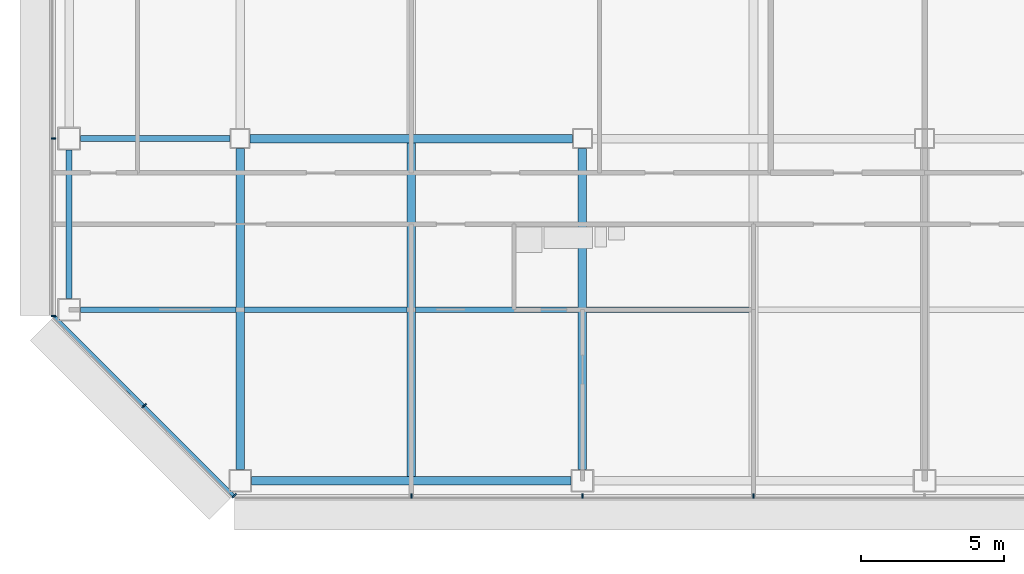
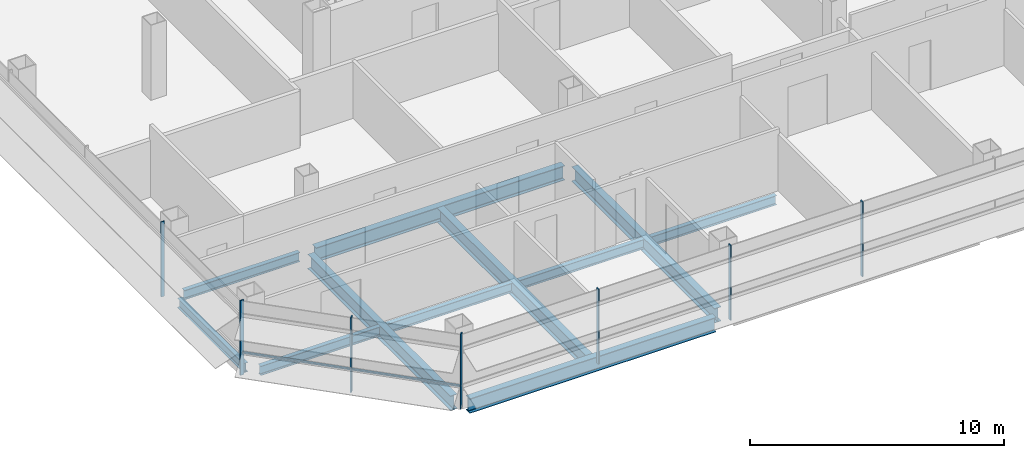
# One storey, part 2 of 25: 11 beams, 8 members, 3 elements without a shape of their own.
"""IFC4 building model written with IfcOpenShell, lengths in metres."""

from ifc_helpers import new_model, si_unit, direction, frame, origin, origin_2d, place, context, subcontext, project, spatial, rectangle, i_section, extrude, material, material_profile, profile_set, type_object, element, aggregate, save


model = new_model("IFC4")

# Units and contexts
model_context = context("Model", 3, precision=1e-05, world=origin(), true_north=direction((0.0, 1.0)))
body_context = subcontext(model_context, "Body", "Model", "MODEL_VIEW")
ifc_project = project(units=[si_unit("LENGTHUNIT", "METRE"), si_unit("AREAUNIT", "SQUARE_METRE"), si_unit("VOLUMEUNIT", "CUBIC_METRE"), si_unit("PLANEANGLEUNIT", "RADIAN"), si_unit("MASSUNIT", "GRAM", prefix="KILO")], contexts=[model_context])

# Site, building, storey
site_placement = place(None, origin())
site = spatial("IfcSite", under=ifc_project, at=site_placement, CompositionType="ELEMENT")
building_placement = place(site_placement, origin())
building = spatial("IfcBuilding", under=site, at=building_placement, Name="Sorahane Residences", CompositionType="ELEMENT")
storey_placement = place(building_placement, frame((0.0, 0.0, 119.60009765625)))
storey = spatial("IfcBuildingStorey", under=building, at=storey_placement, Name="L26", CompositionType="ELEMENT", Elevation=119.60009765625)

# Curtain wall, members
ifc_material_1 = material(Name="Dark low-e glass and black anodised aluminium", Category="aluminium")
curtain_wall_type_1 = type_object("IfcCurtainWallType", Name="Curtain wall CW-1 Typical unitised wall", PredefinedType="NOTDEFINED", material=ifc_material_1)
curtain_wall_1_placement = place(storey_placement, origin())
curtain_wall_1 = element("IfcCurtainWall", 1, at=curtain_wall_1_placement, inside=storey, type_object=curtain_wall_type_1, Name="CW-1 curtain wall L26 S1", PredefinedType="NOTDEFINED")
ifc_material_2 = material(Name="Black anodised aluminium", Category="aluminium")
ifc_material_profile_1 = material_profile(ifc_material_2, rectangle(XDim=0.159912109375, YDim=0.050048828125, at=origin_2d()), Name="Curtain wall mullion CW-1 black anodised aluminium 50x160")
ifc_profile_set_1 = profile_set([ifc_material_profile_1], Name="Black anodised aluminium")
member_type_1 = type_object("IfcMemberType", Name="Curtain wall mullion CW-1 black anodised aluminium 50x160", PredefinedType="MULLION", material=ifc_profile_set_1)
member_1_placement = place(storey_placement, frame((6.0, -0.5400390625, -0.18017578125), z_axis=(0.0, 0.0, 1.0), x_axis=(0.0, -1.0, 0.0)))
member_1 = element("IfcMember", 2, at=member_1_placement, type_object=member_type_1, Name="CW-1 mullion L26 S1.2", PredefinedType="MULLION", context=body_context, shape_type="SweptSolid", body=[
    extrude(rectangle(XDim=0.159912109375, YDim=0.050048828125, at=origin_2d()), origin(), (0.0, 0.0, 1.0), 3.60009765625),
])
member_2_placement = place(storey_placement, frame((12.0, -0.5400390625, -0.18017578125), z_axis=(0.0, 0.0, 1.0), x_axis=(0.0, -1.0, 0.0)))
member_2 = element("IfcMember", 3, at=member_2_placement, type_object=member_type_1, Name="CW-1 mullion L26 S1.3", PredefinedType="MULLION", context=body_context, shape_type="SweptSolid", body=[
    extrude(rectangle(XDim=0.159912109375, YDim=0.050048828125, at=origin_2d()), origin(), (0.0, 0.0, 1.0), 3.60009765625),
])
member_3_placement = place(storey_placement, frame((18.0, -0.5400390625, -0.18017578125), z_axis=(0.0, 0.0, 1.0), x_axis=(0.0, -1.0, 0.0)))
member_3 = element("IfcMember", 4, at=member_3_placement, type_object=member_type_1, Name="CW-1 mullion L26 S1.4", PredefinedType="MULLION", context=body_context, shape_type="SweptSolid", body=[
    extrude(rectangle(XDim=0.159912109375, YDim=0.050048828125, at=origin_2d()), origin(), (0.0, 0.0, 1.0), 3.60009765625),
])
aggregate(curtain_wall_1, [member_1, member_2, member_3])

curtain_wall_2_placement = place(storey_placement, origin())
curtain_wall_2 = element("IfcCurtainWall", 5, at=curtain_wall_2_placement, inside=storey, type_object=curtain_wall_type_1, Name="CW-1 curtain wall L26 W1", PredefinedType="NOTDEFINED")
member_4_placement = place(storey_placement, frame((-6.5400390625, 12.0, -0.18017578125), z_axis=(0.0, 0.0, 1.0), x_axis=(-1.0, 0.0, 0.0)))
member_4 = element("IfcMember", 6, at=member_4_placement, type_object=member_type_1, Name="CW-1 mullion L26 W1.6", PredefinedType="MULLION", context=body_context, shape_type="SweptSolid", body=[
    extrude(rectangle(XDim=0.159912109375, YDim=0.050048828125, at=origin_2d()), origin(), (0.0, 0.0, 1.0), 3.60009765625),
])
member_5_placement = place(storey_placement, frame((-6.5400390625, 5.7763671875, -0.18017578125), z_axis=(0.0, 0.0, 1.0), x_axis=(-1.0, 0.0, 0.0)))
member_5 = element("IfcMember", 7, at=member_5_placement, type_object=member_type_1, Name="CW-1 mullion L26 W1.7", PredefinedType="MULLION", context=body_context, shape_type="SweptSolid", body=[
    extrude(rectangle(XDim=0.159912109375, YDim=0.050048828125, at=origin_2d()), origin(), (0.0, 0.0, 1.0), 3.60009765625),
])
aggregate(curtain_wall_2, [member_4, member_5])

ifc_material_3 = material(Name="Dark low-e glass and black anodised aluminium", Category="aluminium")
curtain_wall_type_2 = type_object("IfcCurtainWallType", Name="Curtain wall CW-2 Chamfer unitised wall", PredefinedType="NOTDEFINED", material=ifc_material_3)
curtain_wall_3_placement = place(storey_placement, origin())
curtain_wall_3 = element("IfcCurtainWall", 8, at=curtain_wall_3_placement, inside=storey, type_object=curtain_wall_type_2, Name="CW-2 curtain wall L26 SW1", PredefinedType="NOTDEFINED")
ifc_material_4 = material(Name="Black anodised aluminium", Category="aluminium")
ifc_material_profile_2 = material_profile(ifc_material_4, rectangle(XDim=0.199951171875, YDim=0.050048828125, at=origin_2d()), Name="Curtain wall mullion CW-2 black anodised aluminium 50x200")
ifc_profile_set_2 = profile_set([ifc_material_profile_2], Name="Black anodised aluminium")
member_type_2 = type_object("IfcMemberType", Name="Curtain wall mullion CW-2 black anodised aluminium 50x200", PredefinedType="MULLION", material=ifc_profile_set_2)
member_6_placement = place(storey_placement, frame((-3.36767578125, 2.63232421875, -0.18017578125), z_axis=(0.0, 0.0, 1.0), x_axis=(-0.707106781187, -0.707106781187, 0.0)))
member_6 = element("IfcMember", 9, at=member_6_placement, type_object=member_type_2, Name="CW-2 mullion L26 SW1.2", PredefinedType="MULLION", context=body_context, shape_type="SweptSolid", body=[
    extrude(rectangle(XDim=0.199951171875, YDim=0.050048828125, at=origin_2d()), origin(), (0.0, 0.0, 1.0), 3.60009765625),
])
member_7_placement = place(storey_placement, frame((-0.209716796875, -0.525634765625, -0.18017578125), z_axis=(0.0, 0.0, 1.0), x_axis=(-0.707106781187, -0.707106781187, 0.0)))
member_7 = element("IfcMember", 10, at=member_7_placement, type_object=member_type_2, Name="CW-2 mullion L26 SW1.3", PredefinedType="MULLION", context=body_context, shape_type="SweptSolid", body=[
    extrude(rectangle(XDim=0.199951171875, YDim=0.050048828125, at=origin_2d()), origin(), (0.0, 0.0, 1.0), 3.60009765625),
])
ifc_material_5 = material(Name="Black anodised aluminium", Category="aluminium")
ifc_material_profile_3 = material_profile(ifc_material_5, rectangle(XDim=0.10009765625, YDim=0.06005859375, at=origin_2d()), Name="Curtain wall transom CW-2 black anodised aluminium 60x100")
ifc_profile_set_3 = profile_set([ifc_material_profile_3], Name="Black anodised aluminium")
member_type_3 = type_object("IfcMemberType", Name="Curtain wall transom CW-2 black anodised aluminium 60x100", PredefinedType="USERDEFINED", material=ifc_profile_set_3)
member_8_placement = place(storey_placement, frame((-6.51513671875, 5.765625, 0.89990234375), z_axis=(0.707106781187, -0.707106781187, 0.0), x_axis=(0.707106781187, 0.707106781187, 0.0)))
member_8 = element("IfcMember", 11, at=member_8_placement, type_object=member_type_3, Name="CW-2 transom L26 SW1", ObjectType="TRANSOM", PredefinedType="USERDEFINED", context=body_context, shape_type="SweptSolid", body=[
    extrude(rectangle(XDim=0.10009765625, YDim=0.06005859375, at=origin_2d()), origin(), (0.0, 0.0, 1.0), 8.88232421875),
])
aggregate(curtain_wall_3, [member_6, member_7, member_8])

# Beams
ifc_material_6 = material(Name="Steel Q355B", Category="steel")
ifc_material_profile_4 = material_profile(ifc_material_6, i_section(OverallWidth=0.199951171875, OverallDepth=0.449951171875, WebThickness=0.009033203125, FlangeThickness=0.013916015625, FilletRadius=0.02001953125, at=origin_2d()), Name="HN 450x200x9x14")
ifc_profile_set_4 = profile_set([ifc_material_profile_4], Name="Steel Q355B")
beam_type_1 = type_object("IfcBeamType", Name="Steel floor beam HN 450x200x9x14 Q355B", PredefinedType="BEAM", material=ifc_profile_set_4)
beam_1_placement = place(storey_placement, frame((-5.60009765625, 12.0, -0.405029296875), z_axis=(1.0, 0.0, 0.0), x_axis=(0.0, 1.0, 0.0)))
element("IfcBeam", 12, at=beam_1_placement, inside=storey, type_object=beam_type_1, Name="Beam L26 005", PredefinedType="BEAM", context=body_context, shape_type="SweptSolid", body=[
    extrude(i_section(OverallWidth=0.199951171875, OverallDepth=0.449951171875, WebThickness=0.009033203125, FlangeThickness=0.013916015625, FilletRadius=0.02001953125, at=origin_2d()), origin(), (0.0, 0.0, 1.0), 5.25),
])
beam_2_placement = place(storey_placement, frame((-6.0, 6.39990234375, -0.405029296875), z_axis=(0.0, 1.0, 0.0), x_axis=(-1.0, 0.0, 0.0)))
element("IfcBeam", 13, at=beam_2_placement, inside=storey, type_object=beam_type_1, Name="Beam L26 020", PredefinedType="BEAM", context=body_context, shape_type="SweptSolid", body=[
    extrude(i_section(OverallWidth=0.199951171875, OverallDepth=0.449951171875, WebThickness=0.009033203125, FlangeThickness=0.013916015625, FilletRadius=0.02001953125, at=origin_2d()), origin(), (0.0, 0.0, 1.0), 5.2001953125),
])
beam_3_placement = place(storey_placement, frame((-5.60009765625, 6.0, -0.405029296875), z_axis=(1.0, 0.0, 0.0), x_axis=(0.0, 1.0, 0.0)))
element("IfcBeam", 14, at=beam_3_placement, inside=storey, type_object=beam_type_1, Name="Beam L26 068", PredefinedType="BEAM", context=body_context, shape_type="SweptSolid", body=[
    extrude(i_section(OverallWidth=0.199951171875, OverallDepth=0.449951171875, WebThickness=0.009033203125, FlangeThickness=0.013916015625, FilletRadius=0.02001953125, at=origin_2d()), origin(), (0.0, 0.0, 1.0), 5.4501953125),
])
for number, where, z_axis, x_axis, name in (
    (15, (0.14990234375, 6.0, -0.405029296875), (1.0, 0.0, 0.0), (0.0, 1.0, 0.0), "Beam L26 069"),
    (16, (6.14990234375, 6.0, -0.405029296875), (1.0, 0.0, 0.0), (0.0, 1.0, 0.0), "Beam L26 070"),
    (17, (12.14990234375, 6.0, -0.405029296875), (1.0, 0.0, 0.0), (0.0, 1.0, 0.0), "Beam L26 071"),
):
    element("IfcBeam", number, at=place(storey_placement, frame(where, z_axis=z_axis, x_axis=x_axis)), inside=storey, type_object=beam_type_1, Name=name, PredefinedType="BEAM", context=body_context, shape_type="SweptSolid", body=[
        extrude(i_section(OverallWidth=0.199951171875, OverallDepth=0.449951171875, WebThickness=0.009033203125, FlangeThickness=0.013916015625, FilletRadius=0.02001953125, at=origin_2d()), origin(), (0.0, 0.0, 1.0), 5.7001953125),
    ])
ifc_material_7 = material(Name="Steel Q355B", Category="steel")
ifc_material_profile_5 = material_profile(ifc_material_7, i_section(OverallWidth=0.300048828125, OverallDepth=0.699951171875, WebThickness=0.012939453125, FlangeThickness=0.02392578125, FilletRadius=0.028076171875, at=origin_2d()), Name="HN 700x300x13x24")
ifc_profile_set_5 = profile_set([ifc_material_profile_5], Name="Steel Q355B")
beam_type_2 = type_object("IfcBeamType", Name="Steel floor beam HN 700x300x13x24 Q355B", PredefinedType="BEAM", material=ifc_profile_set_5)
beam_4_placement = place(storey_placement, frame((0.39990234375, 0.0, -0.530029296875), z_axis=(1.0, 0.0, 0.0), x_axis=(0.0, 1.0, 0.0)))
element("IfcBeam", 18, at=beam_4_placement, inside=storey, type_object=beam_type_2, Name="Beam L26 000", PredefinedType="BEAM", context=body_context, shape_type="SweptSolid", body=[
    extrude(i_section(OverallWidth=0.300048828125, OverallDepth=0.699951171875, WebThickness=0.012939453125, FlangeThickness=0.02392578125, FilletRadius=0.028076171875, at=origin_2d()), origin(), (0.0, 0.0, 1.0), 11.2001953125),
])
beam_5_placement = place(storey_placement, frame((0.35009765625, 12.0, -0.530029296875), z_axis=(1.0, 0.0, 0.0), x_axis=(0.0, 1.0, 0.0)))
element("IfcBeam", 19, at=beam_5_placement, inside=storey, type_object=beam_type_2, Name="Beam L26 006", PredefinedType="BEAM", context=body_context, shape_type="SweptSolid", body=[
    extrude(i_section(OverallWidth=0.300048828125, OverallDepth=0.699951171875, WebThickness=0.012939453125, FlangeThickness=0.02392578125, FilletRadius=0.028076171875, at=origin_2d()), origin(), (0.0, 0.0, 1.0), 11.2998046875),
])
beam_6_placement = place(storey_placement, frame((0.0, 0.39990234375, -0.530029296875), z_axis=(0.0, 1.0, 0.0), x_axis=(-1.0, 0.0, 0.0)))
element("IfcBeam", 20, at=beam_6_placement, inside=storey, type_object=beam_type_2, Name="Beam L26 024", PredefinedType="BEAM", context=body_context, shape_type="SweptSolid", body=[
    extrude(i_section(OverallWidth=0.300048828125, OverallDepth=0.699951171875, WebThickness=0.012939453125, FlangeThickness=0.02392578125, FilletRadius=0.028076171875, at=origin_2d()), origin(), (0.0, 0.0, 1.0), 11.25),
])
beam_7_placement = place(storey_placement, frame((6.0, 0.14990234375, -0.530029296875), z_axis=(0.0, 1.0, 0.0), x_axis=(-1.0, 0.0, 0.0)))
element("IfcBeam", 21, at=beam_7_placement, inside=storey, type_object=beam_type_2, Name="Beam L26 028", PredefinedType="BEAM", context=body_context, shape_type="SweptSolid", body=[
    extrude(i_section(OverallWidth=0.300048828125, OverallDepth=0.699951171875, WebThickness=0.012939453125, FlangeThickness=0.02392578125, FilletRadius=0.028076171875, at=origin_2d()), origin(), (0.0, 0.0, 1.0), 11.7001953125),
])
beam_8_placement = place(storey_placement, frame((12.0, 0.39990234375, -0.530029296875), z_axis=(0.0, 1.0, 0.0), x_axis=(-1.0, 0.0, 0.0)))
element("IfcBeam", 22, at=beam_8_placement, inside=storey, type_object=beam_type_2, Name="Beam L26 034", PredefinedType="BEAM", context=body_context, shape_type="SweptSolid", body=[
    extrude(i_section(OverallWidth=0.300048828125, OverallDepth=0.699951171875, WebThickness=0.012939453125, FlangeThickness=0.02392578125, FilletRadius=0.028076171875, at=origin_2d()), origin(), (0.0, 0.0, 1.0), 11.25),
])

save(model, "model.ifc")
